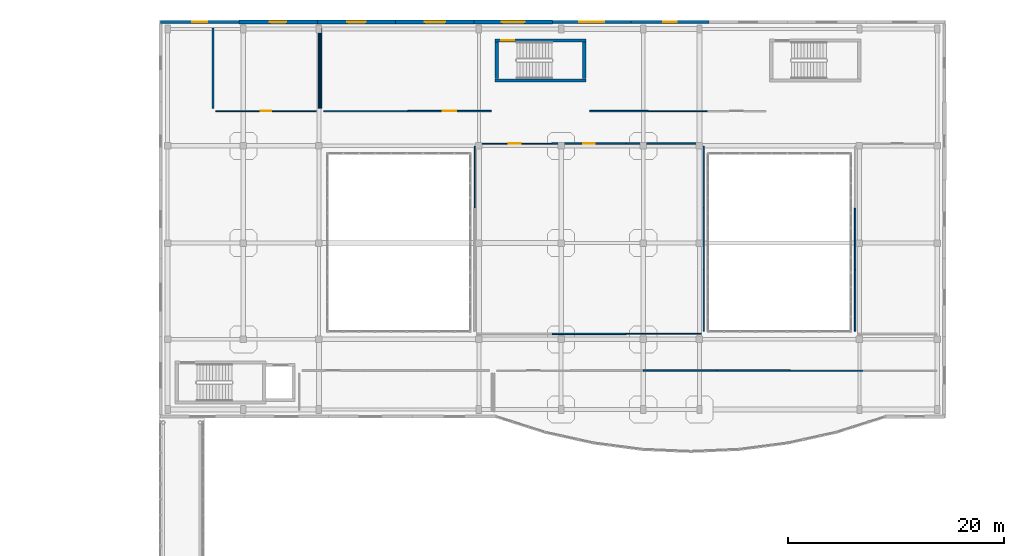
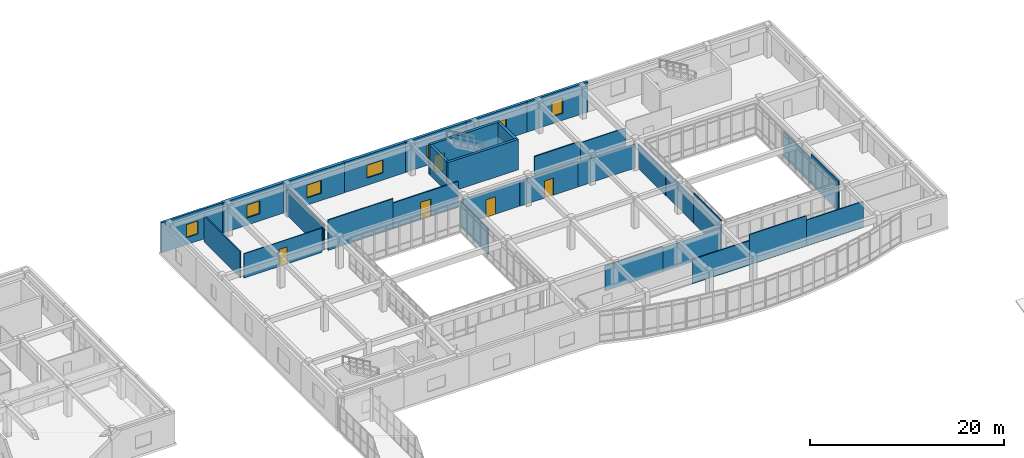
# One storey, part 137 of 146: 33 walls, 7 windows, 5 doors, 12 openings.
"""IFC4 building model written with IfcOpenShell, lengths in metres."""

from ifc_helpers import new_model, si_unit, direction, frame, frame_2d, origin, place, context, subcontext, project, spatial, rectangle, extrude, material, layer, layer_set, type_object, element, fill, save


model = new_model("IFC4")

# Units and contexts
model_context = context("Model", 3, precision=1e-05, world=origin(), true_north=direction((0.0, 1.0)))
body_context = subcontext(model_context, "Body", "Model", "MODEL_VIEW")
ifc_project = project(units=[si_unit("LENGTHUNIT", "METRE"), si_unit("AREAUNIT", "SQUARE_METRE"), si_unit("VOLUMEUNIT", "CUBIC_METRE"), si_unit("PLANEANGLEUNIT", "RADIAN"), si_unit("MASSUNIT", "GRAM", prefix="KILO")], contexts=[model_context])

# Site, building, storey
site_placement = place(None, origin())
site = spatial("IfcSite", under=ifc_project, at=site_placement, CompositionType="ELEMENT")
building_placement = place(site_placement, origin())
building = spatial("IfcBuilding", under=site, at=building_placement, Name="Valcora Specialist Clinic", CompositionType="ELEMENT")
storey_placement = place(building_placement, frame((0.0, 0.0, 9.52001953125)))
storey = spatial("IfcBuildingStorey", under=building, at=storey_placement, Name="L02", CompositionType="ELEMENT", Elevation=9.52001953125)

# Wall
ifc_material_1 = material(Name="Concrete C40/50", Category="concrete")
ifc_layer_1 = layer(ifc_material_1, 0.300048828125)
ifc_layer_set_1 = layer_set([ifc_layer_1], Name="Concrete C40/50")
wall_type_1 = type_object("IfcWallType", Name="TY-WL-CR300", PredefinedType="SHEAR", material=ifc_layer_set_1)
wall_1_placement = place(storey_placement, frame((92.300048828125, 105.25, 0.0), z_axis=(0.0, 0.0, 1.0), x_axis=(1.0, 0.0, 0.0)))
element("IfcWall", 1, at=wall_1_placement, inside=storey, type_object=wall_type_1, Name="Core shear wall WL-CR-C-V4B-L02-S", PredefinedType="SHEAR", context=body_context, shape_type="SweptSolid", body=[
    extrude(rectangle(XDim=8.419921875, YDim=0.300048828125, at=frame_2d((4.2099609375, 0.0))), origin(), (0.0, 0.0, 1.0), 3.820068359375),
])

# Wall, opening, door
wall_2_placement = place(storey_placement, frame((92.300048828125, 108.949951171875, 0.0), z_axis=(0.0, 0.0, 1.0), x_axis=(1.0, 0.0, 0.0)))
wall_2 = element("IfcWall", 2, at=wall_2_placement, inside=storey, type_object=wall_type_1, Name="Core shear wall WL-CR-C-V4B-L02-N", PredefinedType="SHEAR", context=body_context, shape_type="SweptSolid", body=[
    extrude(rectangle(XDim=8.419921875, YDim=0.300048828125, at=frame_2d((4.2099609375, 0.0))), origin(), (0.0, 0.0, 1.0), 3.820068359375),
])
opening_1_placement = place(wall_2_placement, frame((0.550048828125, 0.0, 0.0)))
opening_1 = element("IfcOpeningElement", 3, at=opening_1_placement, cuts=wall_2, Name="Opening DR-FD-120", PredefinedType="OPENING", context=body_context, shape_type="SweptSolid", body=[
    extrude(rectangle(XDim=1.199951171875, YDim=2.199951171875, at=frame_2d((0.60009765625, 1.10009765625))), frame((0.0, 0.159912109375, 0.0), z_axis=(0.0, -1.0, 0.0), x_axis=(1.0, 0.0, 0.0)), (0.0, 0.0, 1.0), 0.320068359375),
])
ifc_material_2 = material(Name="Galvanized Hollow Metal Door Steel ASTM A653", Category="steel")
door_type_1 = type_object("IfcDoorType", Name="TY-DR-ST120", OperationType="NOTDEFINED", PredefinedType="DOOR", material=ifc_material_2)
door_1_placement = place(opening_1_placement, origin())
door_1 = element("IfcDoor", 4, at=door_1_placement, inside=storey, type_object=door_type_1, Name="Exit stair fire door C-V4B L02", OperationType="SINGLE_SWING_RIGHT", OverallHeight=2.199951171875, OverallWidth=1.199951171875, PredefinedType="DOOR", context=body_context, shape_type="SweptSolid", body=[
    extrude(rectangle(XDim=1.199951171875, YDim=2.199951171875, at=frame_2d((0.60009765625, 1.10009765625))), frame((0.0, 0.02490234375, 0.0), z_axis=(0.0, -1.0, 0.0), x_axis=(1.0, 0.0, 0.0)), (0.0, 0.0, 1.0), 0.050048828125),
])
fill(opening_1, door_1)

# Walls
wall_3_placement = place(storey_placement, frame((92.449951171875, 105.402099609375, 0.0), z_axis=(0.0, 0.0, 1.0), x_axis=(0.0, 1.0, 0.0)))
element("IfcWall", 5, at=wall_3_placement, inside=storey, type_object=wall_type_1, Name="Core shear wall WL-CR-C-V4B-L02-W", PredefinedType="SHEAR", context=body_context, shape_type="SweptSolid", body=[
    extrude(rectangle(XDim=3.39599609375, YDim=0.300048828125, at=frame_2d((1.697998046875, 0.0))), origin(), (0.0, 0.0, 1.0), 3.820068359375),
])
ifc_layer_2 = layer(ifc_material_1, 0.320068359375)
ifc_layer_set_2 = layer_set([ifc_layer_2], Name="Concrete C40/50")
wall_type_2 = type_object("IfcWallType", Name="TY-WL-CR320", PredefinedType="SHEAR", material=ifc_layer_set_2)
wall_4_placement = place(storey_placement, frame((100.56005859375, 105.402099609375, 0.0), z_axis=(0.0, 0.0, 1.0), x_axis=(0.0, 1.0, 0.0)))
element("IfcWall", 6, at=wall_4_placement, inside=storey, type_object=wall_type_2, Name="Core shear wall WL-CR-C-V4B-L02-E", PredefinedType="SHEAR", context=body_context, shape_type="SweptSolid", body=[
    extrude(rectangle(XDim=3.39599609375, YDim=0.320068359375, at=frame_2d((1.697998046875, 0.0))), origin(), (0.0, 0.0, 1.0), 3.820068359375),
])

# Wall, opening, window
ifc_material_3 = material(Name="Extruded Jalisco Clay Brick Masonry", Category="masonry")
ifc_layer_3 = layer(ifc_material_3, 0.235107421875)
ifc_layer_set_3 = layer_set([ifc_layer_3], Name="Extruded Jalisco Clay Brick Masonry")
wall_type_3 = type_object("IfcWallType", Name="TY-WL-EW235", PredefinedType="SOLIDWALL", material=ifc_layer_set_3)
wall_5_placement = place(storey_placement, frame((61.35009765625, 110.64990234375, 0.0), z_axis=(0.0, 0.0, 1.0), x_axis=(1.0, 0.0, 0.0)))
wall_5 = element("IfcWall", 7, at=wall_5_placement, inside=storey, type_object=wall_type_3, Name="Exterior wall WL-EXT-L02-0180", PredefinedType="SOLIDWALL", context=body_context, shape_type="SweptSolid", body=[
    extrude(rectangle(XDim=7.25, YDim=0.235107421875, at=frame_2d((3.625, 0.0))), origin(), (0.0, 0.0, 1.0), 3.820068359375),
])
opening_2_placement = place(wall_5_placement, frame((2.945068359375, 0.0, 0.89990234375)))
opening_2 = element("IfcOpeningElement", 8, at=opening_2_placement, cuts=wall_5, Name="Opening WN-33", PredefinedType="OPENING", context=body_context, shape_type="SweptSolid", body=[
    extrude(rectangle(XDim=1.360107421875, YDim=1.6201171875, at=frame_2d((0.68017578125, 0.81005859375))), frame((0.0, 0.12744140625, 0.0), z_axis=(0.0, -1.0, 0.0), x_axis=(1.0, 0.0, 0.0)), (0.0, 0.0, 1.0), 0.255126953125),
])
ifc_material_4 = material(Name="Low-E Laminated Insulating Glass", Category="glass")
window_type_1 = type_object("IfcWindowType", Name="TY-WN-33", PartitioningType="SINGLE_PANEL", PredefinedType="WINDOW", material=ifc_material_4)
window_1_placement = place(opening_2_placement, origin())
window_1 = element("IfcWindow", 9, at=window_1_placement, inside=storey, type_object=window_type_1, Name="Facade window WN-L02-0159", OverallHeight=1.6201171875, OverallWidth=1.360107421875, PartitioningType="SINGLE_PANEL", PredefinedType="WINDOW", context=body_context, shape_type="SweptSolid", body=[
    extrude(rectangle(XDim=1.360107421875, YDim=1.6201171875, at=frame_2d((0.68017578125, 0.81005859375))), frame((0.0, 0.030029296875, 0.0), z_axis=(0.0, -1.0, 0.0), x_axis=(1.0, 0.0, 0.0)), (0.0, 0.0, 1.0), 0.06005859375),
])
fill(opening_2, window_1)

ifc_layer_4 = layer(ifc_material_3, 0.294921875)
ifc_layer_set_4 = layer_set([ifc_layer_4], Name="Extruded Jalisco Clay Brick Masonry")
wall_type_4 = type_object("IfcWallType", Name="TY-WL-EW295", PredefinedType="SOLIDWALL", material=ifc_layer_set_4)
wall_6_placement = place(storey_placement, frame((104.85009765625, 110.64990234375, 0.0), z_axis=(0.0, 0.0, 1.0), x_axis=(1.0, 0.0, 0.0)))
wall_6 = element("IfcWall", 10, at=wall_6_placement, inside=storey, type_object=wall_type_4, Name="Exterior wall WL-EXT-L02-0186", PredefinedType="SOLIDWALL", context=body_context, shape_type="SweptSolid", body=[
    extrude(rectangle(XDim=7.25, YDim=0.294921875, at=frame_2d((3.625, 0.0))), origin(), (0.0, 0.0, 1.0), 3.820068359375),
])
opening_3_placement = place(wall_6_placement, frame((2.985107421875, 0.0, 0.89990234375)))
opening_3 = element("IfcOpeningElement", 11, at=opening_3_placement, cuts=wall_6, Name="Opening WN-39", PredefinedType="OPENING", context=body_context, shape_type="SweptSolid", body=[
    extrude(rectangle(XDim=1.280029296875, YDim=1.8798828125, at=frame_2d((0.64013671875, 0.93994140625))), frame((0.0, 0.157470703125, 0.0), z_axis=(0.0, -1.0, 0.0), x_axis=(1.0, 0.0, 0.0)), (0.0, 0.0, 1.0), 0.31494140625),
])
window_type_2 = type_object("IfcWindowType", Name="TY-WN-39", PartitioningType="SINGLE_PANEL", PredefinedType="WINDOW", material=ifc_material_4)
window_2_placement = place(opening_3_placement, origin())
window_2 = element("IfcWindow", 12, at=window_2_placement, inside=storey, type_object=window_type_2, Name="Facade window WN-L02-0165", OverallHeight=1.8798828125, OverallWidth=1.280029296875, PartitioningType="SINGLE_PANEL", PredefinedType="WINDOW", context=body_context, shape_type="SweptSolid", body=[
    extrude(rectangle(XDim=1.280029296875, YDim=1.8798828125, at=frame_2d((0.64013671875, 0.93994140625))), frame((0.0, 0.030029296875, 0.0), z_axis=(0.0, -1.0, 0.0), x_axis=(1.0, 0.0, 0.0)), (0.0, 0.0, 1.0), 0.06005859375),
])
fill(opening_3, window_2)

ifc_layer_5 = layer(ifc_material_3, 0.31005859375)
ifc_layer_set_5 = layer_set([ifc_layer_5], Name="Extruded Jalisco Clay Brick Masonry")
wall_type_5 = type_object("IfcWallType", Name="TY-WL-EW310", PredefinedType="SOLIDWALL", material=ifc_layer_set_5)
wall_7_placement = place(storey_placement, frame((97.60009765625, 110.64990234375, 0.0), z_axis=(0.0, 0.0, 1.0), x_axis=(1.0, 0.0, 0.0)))
wall_7 = element("IfcWall", 13, at=wall_7_placement, inside=storey, type_object=wall_type_5, Name="Exterior wall WL-EXT-L02-0185", PredefinedType="SOLIDWALL", context=body_context, shape_type="SweptSolid", body=[
    extrude(rectangle(XDim=7.25, YDim=0.31005859375, at=frame_2d((3.625, 0.0))), origin(), (0.0, 0.0, 1.0), 3.820068359375),
])
opening_4_placement = place(wall_7_placement, frame((2.465087890625, 0.0, 0.89990234375)))
opening_4 = element("IfcOpeningElement", 14, at=opening_4_placement, cuts=wall_7, Name="Opening WN-38", PredefinedType="OPENING", context=body_context, shape_type="SweptSolid", body=[
    extrude(rectangle(XDim=2.320068359375, YDim=1.6201171875, at=frame_2d((1.16015625, 0.81005859375))), frame((0.0, 0.1650390625, 0.0), z_axis=(0.0, -1.0, 0.0), x_axis=(1.0, 0.0, 0.0)), (0.0, 0.0, 1.0), 0.330078125),
])
window_type_3 = type_object("IfcWindowType", Name="TY-WN-38", PartitioningType="SINGLE_PANEL", PredefinedType="WINDOW", material=ifc_material_4)
window_3_placement = place(opening_4_placement, origin())
window_3 = element("IfcWindow", 15, at=window_3_placement, inside=storey, type_object=window_type_3, Name="Facade window WN-L02-0164", OverallHeight=1.6201171875, OverallWidth=2.320068359375, PartitioningType="SINGLE_PANEL", PredefinedType="WINDOW", context=body_context, shape_type="SweptSolid", body=[
    extrude(rectangle(XDim=2.320068359375, YDim=1.6201171875, at=frame_2d((1.16015625, 0.81005859375))), frame((0.0, 0.030029296875, 0.0), z_axis=(0.0, -1.0, 0.0), x_axis=(1.0, 0.0, 0.0)), (0.0, 0.0, 1.0), 0.06005859375),
])
fill(opening_4, window_3)

ifc_layer_6 = layer(ifc_material_3, 0.324951171875)
ifc_layer_set_6 = layer_set([ifc_layer_6], Name="Extruded Jalisco Clay Brick Masonry")
wall_type_6 = type_object("IfcWallType", Name="TY-WL-EW325", PredefinedType="SOLIDWALL", material=ifc_layer_set_6)
wall_8_placement = place(storey_placement, frame((90.35009765625, 110.64990234375, 0.0), z_axis=(0.0, 0.0, 1.0), x_axis=(1.0, 0.0, 0.0)))
wall_8 = element("IfcWall", 16, at=wall_8_placement, inside=storey, type_object=wall_type_6, Name="Exterior wall WL-EXT-L02-0184", PredefinedType="SOLIDWALL", context=body_context, shape_type="SweptSolid", body=[
    extrude(rectangle(XDim=7.25, YDim=0.324951171875, at=frame_2d((3.625, 0.0))), origin(), (0.0, 0.0, 1.0), 3.820068359375),
])
opening_5_placement = place(wall_8_placement, frame((2.56494140625, 0.0, 0.89990234375)))
opening_5 = element("IfcOpeningElement", 17, at=opening_5_placement, cuts=wall_8, Name="Opening WN-37", PredefinedType="OPENING", context=body_context, shape_type="SweptSolid", body=[
    extrude(rectangle(XDim=2.1201171875, YDim=1.6201171875, at=frame_2d((1.06005859375, 0.81005859375))), frame((0.0, 0.17236328125, 0.0), z_axis=(0.0, -1.0, 0.0), x_axis=(1.0, 0.0, 0.0)), (0.0, 0.0, 1.0), 0.344970703125),
])
window_type_4 = type_object("IfcWindowType", Name="TY-WN-37", PartitioningType="SINGLE_PANEL", PredefinedType="WINDOW", material=ifc_material_4)
window_4_placement = place(opening_5_placement, origin())
window_4 = element("IfcWindow", 18, at=window_4_placement, inside=storey, type_object=window_type_4, Name="Facade window WN-L02-0163", OverallHeight=1.6201171875, OverallWidth=2.1201171875, PartitioningType="SINGLE_PANEL", PredefinedType="WINDOW", context=body_context, shape_type="SweptSolid", body=[
    extrude(rectangle(XDim=2.1201171875, YDim=1.6201171875, at=frame_2d((1.06005859375, 0.81005859375))), frame((0.0, 0.030029296875, 0.0), z_axis=(0.0, -1.0, 0.0), x_axis=(1.0, 0.0, 0.0)), (0.0, 0.0, 1.0), 0.06005859375),
])
fill(opening_5, window_4)

ifc_layer_7 = layer(ifc_material_3, 0.340087890625)
ifc_layer_set_7 = layer_set([ifc_layer_7], Name="Extruded Jalisco Clay Brick Masonry")
wall_type_7 = type_object("IfcWallType", Name="TY-WL-EW340", PredefinedType="SOLIDWALL", material=ifc_layer_set_7)
wall_9_placement = place(storey_placement, frame((83.10009765625, 110.64990234375, 0.0), z_axis=(0.0, 0.0, 1.0), x_axis=(1.0, 0.0, 0.0)))
wall_9 = element("IfcWall", 19, at=wall_9_placement, inside=storey, type_object=wall_type_7, Name="Exterior wall WL-EXT-L02-0183", PredefinedType="SOLIDWALL", context=body_context, shape_type="SweptSolid", body=[
    extrude(rectangle(XDim=7.25, YDim=0.340087890625, at=frame_2d((3.625, 0.0))), origin(), (0.0, 0.0, 1.0), 3.820068359375),
])
opening_6_placement = place(wall_9_placement, frame((2.6650390625, 0.0, 0.89990234375)))
opening_6 = element("IfcOpeningElement", 20, at=opening_6_placement, cuts=wall_9, Name="Opening WN-36", PredefinedType="OPENING", context=body_context, shape_type="SweptSolid", body=[
    extrude(rectangle(XDim=1.919921875, YDim=1.6201171875, at=frame_2d((0.9599609375, 0.81005859375))), frame((0.0, 0.179931640625, 0.0), z_axis=(0.0, -1.0, 0.0), x_axis=(1.0, 0.0, 0.0)), (0.0, 0.0, 1.0), 0.360107421875),
])
window_type_5 = type_object("IfcWindowType", Name="TY-WN-36", PartitioningType="SINGLE_PANEL", PredefinedType="WINDOW", material=ifc_material_4)
window_5_placement = place(opening_6_placement, origin())
window_5 = element("IfcWindow", 21, at=window_5_placement, inside=storey, type_object=window_type_5, Name="Facade window WN-L02-0162", OverallHeight=1.6201171875, OverallWidth=1.919921875, PartitioningType="SINGLE_PANEL", PredefinedType="WINDOW", context=body_context, shape_type="SweptSolid", body=[
    extrude(rectangle(XDim=1.919921875, YDim=1.6201171875, at=frame_2d((0.9599609375, 0.81005859375))), frame((0.0, 0.030029296875, 0.0), z_axis=(0.0, -1.0, 0.0), x_axis=(1.0, 0.0, 0.0)), (0.0, 0.0, 1.0), 0.06005859375),
])
fill(opening_6, window_5)

ifc_layer_8 = layer(ifc_material_3, 0.35498046875)
ifc_layer_set_8 = layer_set([ifc_layer_8], Name="Extruded Jalisco Clay Brick Masonry")
wall_type_8 = type_object("IfcWallType", Name="TY-WL-EW355", PredefinedType="SOLIDWALL", material=ifc_layer_set_8)
wall_10_placement = place(storey_placement, frame((75.85009765625, 110.64990234375, 0.0), z_axis=(0.0, 0.0, 1.0), x_axis=(1.0, 0.0, 0.0)))
wall_10 = element("IfcWall", 22, at=wall_10_placement, inside=storey, type_object=wall_type_8, Name="Exterior wall WL-EXT-L02-0182", PredefinedType="SOLIDWALL", context=body_context, shape_type="SweptSolid", body=[
    extrude(rectangle(XDim=7.25, YDim=0.35498046875, at=frame_2d((3.625, 0.0))), origin(), (0.0, 0.0, 1.0), 3.820068359375),
])
opening_7_placement = place(wall_10_placement, frame((2.764892578125, 0.0, 0.89990234375)))
opening_7 = element("IfcOpeningElement", 23, at=opening_7_placement, cuts=wall_10, Name="Opening WN-35", PredefinedType="OPENING", context=body_context, shape_type="SweptSolid", body=[
    extrude(rectangle(XDim=1.719970703125, YDim=1.6201171875, at=frame_2d((0.85986328125, 0.81005859375))), frame((0.0, 0.1875, 0.0), z_axis=(0.0, -1.0, 0.0), x_axis=(1.0, 0.0, 0.0)), (0.0, 0.0, 1.0), 0.375),
])
window_type_6 = type_object("IfcWindowType", Name="TY-WN-35", PartitioningType="SINGLE_PANEL", PredefinedType="WINDOW", material=ifc_material_4)
window_6_placement = place(opening_7_placement, origin())
window_6 = element("IfcWindow", 24, at=window_6_placement, inside=storey, type_object=window_type_6, Name="Facade window WN-L02-0161", OverallHeight=1.6201171875, OverallWidth=1.719970703125, PartitioningType="SINGLE_PANEL", PredefinedType="WINDOW", context=body_context, shape_type="SweptSolid", body=[
    extrude(rectangle(XDim=1.719970703125, YDim=1.6201171875, at=frame_2d((0.85986328125, 0.81005859375))), frame((0.0, 0.030029296875, 0.0), z_axis=(0.0, -1.0, 0.0), x_axis=(1.0, 0.0, 0.0)), (0.0, 0.0, 1.0), 0.06005859375),
])
fill(opening_7, window_6)

ifc_layer_9 = layer(ifc_material_3, 0.3701171875)
ifc_layer_set_9 = layer_set([ifc_layer_9], Name="Extruded Jalisco Clay Brick Masonry")
wall_type_9 = type_object("IfcWallType", Name="TY-WL-EW370", PredefinedType="SOLIDWALL", material=ifc_layer_set_9)
wall_11_placement = place(storey_placement, frame((68.60009765625, 110.64990234375, 0.0), z_axis=(0.0, 0.0, 1.0), x_axis=(1.0, 0.0, 0.0)))
wall_11 = element("IfcWall", 25, at=wall_11_placement, inside=storey, type_object=wall_type_9, Name="Exterior wall WL-EXT-L02-0181", PredefinedType="SOLIDWALL", context=body_context, shape_type="SweptSolid", body=[
    extrude(rectangle(XDim=7.25, YDim=0.3701171875, at=frame_2d((3.625, 0.0))), origin(), (0.0, 0.0, 1.0), 3.820068359375),
])
opening_8_placement = place(wall_11_placement, frame((2.85498046875, 0.0, 0.89990234375)))
opening_8 = element("IfcOpeningElement", 26, at=opening_8_placement, cuts=wall_11, Name="Opening WN-34", PredefinedType="OPENING", context=body_context, shape_type="SweptSolid", body=[
    extrude(rectangle(XDim=1.5400390625, YDim=1.6201171875, at=frame_2d((0.77001953125, 0.81005859375))), frame((0.0, 0.195068359375, 0.0), z_axis=(0.0, -1.0, 0.0), x_axis=(1.0, 0.0, 0.0)), (0.0, 0.0, 1.0), 0.39013671875),
])
window_type_7 = type_object("IfcWindowType", Name="TY-WN-34", PartitioningType="SINGLE_PANEL", PredefinedType="WINDOW", material=ifc_material_4)
window_7_placement = place(opening_8_placement, origin())
window_7 = element("IfcWindow", 27, at=window_7_placement, inside=storey, type_object=window_type_7, Name="Facade window WN-L02-0160", OverallHeight=1.6201171875, OverallWidth=1.5400390625, PartitioningType="SINGLE_PANEL", PredefinedType="WINDOW", context=body_context, shape_type="SweptSolid", body=[
    extrude(rectangle(XDim=1.5400390625, YDim=1.6201171875, at=frame_2d((0.77001953125, 0.81005859375))), frame((0.0, 0.030029296875, 0.0), z_axis=(0.0, -1.0, 0.0), x_axis=(1.0, 0.0, 0.0)), (0.0, 0.0, 1.0), 0.06005859375),
])
fill(opening_8, window_7)

# Wall, opening, door
ifc_material_5 = material(Name="Gypsum Board Partition Assembly")
ifc_layer_10 = layer(ifc_material_5, 0.094970703125)
ifc_layer_set_10 = layer_set([ifc_layer_10], Name="Gypsum Board Partition Assembly")
wall_type_10 = type_object("IfcWallType", Name="TY-WL-PT095", PredefinedType="PARTITIONING", material=ifc_layer_set_10)
wall_12_placement = place(storey_placement, frame((90.64990234375, 99.39990234375, 0.0), z_axis=(0.0, 0.0, 1.0), x_axis=(1.0, 0.0, 0.0)))
wall_12 = element("IfcWall", 28, at=wall_12_placement, inside=storey, type_object=wall_type_10, Name="Interior partition WL-INT-L02-0311", PredefinedType="PARTITIONING", context=body_context, shape_type="SweptSolid", body=[
    extrude(rectangle(XDim=6.900146484375, YDim=0.094970703125, at=frame_2d((3.4501953125, 0.0))), origin(), (0.0, 0.0, 1.0), 3.219970703125),
])
opening_9_placement = place(wall_12_placement, frame((2.89990234375, 0.0, 0.0)))
opening_9 = element("IfcOpeningElement", 29, at=opening_9_placement, cuts=wall_12, Name="Opening DR-CN-110", PredefinedType="OPENING", context=body_context, shape_type="SweptSolid", body=[
    extrude(rectangle(XDim=1.10009765625, YDim=2.199951171875, at=frame_2d((0.550048828125, 1.10009765625))), frame((0.0, 0.057373046875, 0.0), z_axis=(0.0, -1.0, 0.0), x_axis=(1.0, 0.0, 0.0)), (0.0, 0.0, 1.0), 0.114990234375),
])
ifc_material_6 = material(Name="Glulam Conifer Class 24F", Category="wood")
door_type_2 = type_object("IfcDoorType", Name="TY-DR-CN110", OperationType="NOTDEFINED", PredefinedType="DOOR", material=ifc_material_6)
door_2_placement = place(opening_9_placement, origin())
door_2 = element("IfcDoor", 30, at=door_2_placement, inside=storey, type_object=door_type_2, Name="Interior door DR-INT-L02-0088", OperationType="SINGLE_SWING_RIGHT", OverallHeight=2.199951171875, OverallWidth=1.10009765625, PredefinedType="DOOR", context=body_context, shape_type="SweptSolid", body=[
    extrude(rectangle(XDim=1.10009765625, YDim=2.199951171875, at=frame_2d((0.550048828125, 1.10009765625))), frame((0.0, 0.02490234375, 0.0), z_axis=(0.0, -1.0, 0.0), x_axis=(1.0, 0.0, 0.0)), (0.0, 0.0, 1.0), 0.050048828125),
])
fill(opening_9, door_2)

# Wall
wall_13_placement = place(storey_placement, frame((111.35009765625, 81.800048828125, 0.0), z_axis=(0.0, 0.0, 1.0), x_axis=(-1.0, 0.0, 0.0)))
element("IfcWall", 31, at=wall_13_placement, inside=storey, type_object=wall_type_10, Name="Interior partition WL-INT-L02-0317", PredefinedType="PARTITIONING", context=body_context, shape_type="SweptSolid", body=[
    extrude(rectangle(XDim=6.900146484375, YDim=0.094970703125, at=frame_2d((3.4501953125, 0.0))), origin(), (0.0, 0.0, 1.0), 3.02001953125),
])

# Wall, opening, door
wall_14_placement = place(storey_placement, frame((75.75, 102.39990234375, 0.0), z_axis=(0.0, 0.0, 1.0), x_axis=(-1.0, 0.0, 0.0)))
wall_14 = element("IfcWall", 32, at=wall_14_placement, inside=storey, type_object=wall_type_10, Name="Interior partition WL-INT-L02-0329", PredefinedType="PARTITIONING", context=body_context, shape_type="SweptSolid", body=[
    extrude(rectangle(XDim=9.300048828125, YDim=0.094970703125, at=frame_2d((4.64990234375, 0.0))), origin(), (0.0, 0.0, 1.0), 3.070068359375),
])
opening_10_placement = place(wall_14_placement, frame((4.175048828125, 0.0, 0.0)))
opening_10 = element("IfcOpeningElement", 33, at=opening_10_placement, cuts=wall_14, Name="Opening DR-WC-095", PredefinedType="OPENING", context=body_context, shape_type="SweptSolid", body=[
    extrude(rectangle(XDim=0.949951171875, YDim=2.14990234375, at=frame_2d((0.47509765625, 1.074951171875))), frame((0.0, 0.057373046875, 0.0), z_axis=(0.0, -1.0, 0.0), x_axis=(1.0, 0.0, 0.0)), (0.0, 0.0, 1.0), 0.114990234375),
])
door_type_3 = type_object("IfcDoorType", Name="TY-DR-WC095", OperationType="NOTDEFINED", PredefinedType="DOOR", material=ifc_material_6)
door_3_placement = place(opening_10_placement, origin())
door_3 = element("IfcDoor", 34, at=door_3_placement, inside=storey, type_object=door_type_3, Name="Interior door DR-INT-L02-0091", OperationType="SINGLE_SWING_LEFT", OverallHeight=2.14990234375, OverallWidth=0.949951171875, PredefinedType="DOOR", context=body_context, shape_type="SweptSolid", body=[
    extrude(rectangle(XDim=0.949951171875, YDim=2.14990234375, at=frame_2d((0.47509765625, 1.074951171875))), frame((0.0, 0.02490234375, 0.0), z_axis=(0.0, -1.0, 0.0), x_axis=(1.0, 0.0, 0.0)), (0.0, 0.0, 1.0), 0.050048828125),
])
fill(opening_10, door_3)

# Walls
wall_15_placement = place(storey_placement, frame((111.9169921875, 102.39990234375, 0.0), z_axis=(0.0, 0.0, 1.0), x_axis=(-1.0, 0.0, 0.0)))
element("IfcWall", 35, at=wall_15_placement, inside=storey, type_object=wall_type_10, Name="Interior partition WL-INT-L02-0335", PredefinedType="PARTITIONING", context=body_context, shape_type="SweptSolid", body=[
    extrude(rectangle(XDim=5.43408203125, YDim=0.094970703125, at=frame_2d((2.717041015625, 0.0))), origin(), (0.0, 0.0, 1.0), 3.02001953125),
])
ifc_layer_11 = layer(ifc_material_5, 0.10498046875)
ifc_layer_set_11 = layer_set([ifc_layer_11], Name="Gypsum Board Partition Assembly")
wall_type_11 = type_object("IfcWallType", Name="TY-WL-PT105", PredefinedType="PARTITIONING", material=ifc_layer_set_11)
wall_16_placement = place(storey_placement, frame((111.60009765625, 87.75, 0.0), z_axis=(0.0, 0.0, 1.0), x_axis=(0.0, -1.0, 0.0)))
element("IfcWall", 36, at=wall_16_placement, inside=storey, type_object=wall_type_11, Name="Interior partition WL-INT-L02-0316", PredefinedType="PARTITIONING", context=body_context, shape_type="SweptSolid", body=[
    extrude(rectangle(XDim=5.699951171875, YDim=0.10498046875, at=frame_2d((2.85009765625, 0.0))), origin(), (0.0, 0.0, 1.0), 3.820068359375),
])
wall_17_placement = place(storey_placement, frame((90.39990234375, 93.449951171875, 0.0), z_axis=(0.0, 0.0, 1.0), x_axis=(0.0, 1.0, 0.0)))
element("IfcWall", 37, at=wall_17_placement, inside=storey, type_object=wall_type_11, Name="Interior partition WL-INT-L02-0322", PredefinedType="PARTITIONING", context=body_context, shape_type="SweptSolid", body=[
    extrude(rectangle(XDim=5.699951171875, YDim=0.10498046875, at=frame_2d((2.85009765625, 0.0))), origin(), (0.0, 0.0, 1.0), 3.27001953125),
])
wall_18_placement = place(storey_placement, frame((76.0, 110.050048828125, 0.0), z_axis=(0.0, 0.0, 1.0), x_axis=(0.0, -1.0, 0.0)))
element("IfcWall", 38, at=wall_18_placement, inside=storey, type_object=wall_type_11, Name="Interior partition WL-INT-L02-0328", PredefinedType="PARTITIONING", context=body_context, shape_type="SweptSolid", body=[
    extrude(rectangle(XDim=7.400146484375, YDim=0.10498046875, at=frame_2d((3.7001953125, 0.0))), origin(), (0.0, 0.0, 1.0), 3.169921875),
])
ifc_layer_12 = layer(ifc_material_5, 0.114990234375)
ifc_layer_set_12 = layer_set([ifc_layer_12], Name="Gypsum Board Partition Assembly")
wall_type_12 = type_object("IfcWallType", Name="TY-WL-PT115", PredefinedType="PARTITIONING", material=ifc_layer_set_12)
wall_19_placement = place(storey_placement, frame((119.5830078125, 78.39990234375, 0.0), z_axis=(0.0, 0.0, 1.0), x_axis=(1.0, 0.0, 0.0)))
element("IfcWall", 39, at=wall_19_placement, inside=storey, type_object=wall_type_12, Name="Interior partition WL-INT-L02-0309", PredefinedType="PARTITIONING", context=body_context, shape_type="SweptSolid", body=[
    extrude(rectangle(XDim=6.783935546875, YDim=0.114990234375, at=frame_2d((3.39208984375, 0.0))), origin(), (0.0, 0.0, 1.0), 3.27001953125),
])
wall_20_placement = place(storey_placement, frame((111.60009765625, 93.449951171875, 0.0), z_axis=(0.0, 0.0, 1.0), x_axis=(0.0, -1.0, 0.0)))
element("IfcWall", 40, at=wall_20_placement, inside=storey, type_object=wall_type_12, Name="Interior partition WL-INT-L02-0315", PredefinedType="PARTITIONING", context=body_context, shape_type="SweptSolid", body=[
    extrude(rectangle(XDim=5.699951171875, YDim=0.114990234375, at=frame_2d((2.85009765625, 0.0))), origin(), (0.0, 0.0, 1.0), 3.169921875),
])
wall_21_placement = place(storey_placement, frame((76.199951171875, 102.64990234375, 0.0), z_axis=(0.0, 0.0, 1.0), x_axis=(0.0, 1.0, 0.0)))
element("IfcWall", 41, at=wall_21_placement, inside=storey, type_object=wall_type_12, Name="Interior partition WL-INT-L02-0333", PredefinedType="PARTITIONING", context=body_context, shape_type="SweptSolid", body=[
    extrude(rectangle(XDim=7.400146484375, YDim=0.114990234375, at=frame_2d((3.7001953125, 0.0))), origin(), (0.0, 0.0, 1.0), 3.169921875),
])
ifc_layer_13 = layer(ifc_material_5, 0.125)
ifc_layer_set_13 = layer_set([ifc_layer_13], Name="Gypsum Board Partition Assembly")
wall_type_13 = type_object("IfcWallType", Name="TY-WL-PT125", PredefinedType="PARTITIONING", material=ifc_layer_set_13)
wall_22_placement = place(storey_placement, frame((112.800048828125, 78.39990234375, 0.0), z_axis=(0.0, 0.0, 1.0), x_axis=(1.0, 0.0, 0.0)))
element("IfcWall", 42, at=wall_22_placement, inside=storey, type_object=wall_type_13, Name="Interior partition WL-INT-L02-0308", PredefinedType="PARTITIONING", context=body_context, shape_type="SweptSolid", body=[
    extrude(rectangle(XDim=6.782958984375, YDim=0.125, at=frame_2d((3.3916015625, 0.0))), origin(), (0.0, 0.0, 1.0), 3.820068359375),
])
wall_23_placement = place(storey_placement, frame((111.60009765625, 99.14990234375, 0.0), z_axis=(0.0, 0.0, 1.0), x_axis=(0.0, -1.0, 0.0)))
element("IfcWall", 43, at=wall_23_placement, inside=storey, type_object=wall_type_13, Name="Interior partition WL-INT-L02-0314", PredefinedType="PARTITIONING", context=body_context, shape_type="SweptSolid", body=[
    extrude(rectangle(XDim=5.699951171875, YDim=0.125, at=frame_2d((2.85009765625, 0.0))), origin(), (0.0, 0.0, 1.0), 3.070068359375),
])
wall_24_placement = place(storey_placement, frame((125.60009765625, 87.75, 0.0), z_axis=(0.0, 0.0, 1.0), x_axis=(0.0, 1.0, 0.0)))
element("IfcWall", 44, at=wall_24_placement, inside=storey, type_object=wall_type_13, Name="Interior partition WL-INT-L02-0326", PredefinedType="PARTITIONING", context=body_context, shape_type="SweptSolid", body=[
    extrude(rectangle(XDim=5.699951171875, YDim=0.125, at=frame_2d((2.85009765625, 0.0))), origin(), (0.0, 0.0, 1.0), 3.169921875),
])
wall_25_placement = place(storey_placement, frame((84.199951171875, 102.39990234375, 0.0), z_axis=(0.0, 0.0, 1.0), x_axis=(-1.0, 0.0, 0.0)))
element("IfcWall", 45, at=wall_25_placement, inside=storey, type_object=wall_type_13, Name="Interior partition WL-INT-L02-0332", PredefinedType="PARTITIONING", context=body_context, shape_type="SweptSolid", body=[
    extrude(rectangle(XDim=7.75, YDim=0.125, at=frame_2d((3.875, 0.0))), origin(), (0.0, 0.0, 1.0), 3.820068359375),
])
ifc_layer_14 = layer(ifc_material_5, 0.135009765625)
ifc_layer_set_14 = layer_set([ifc_layer_14], Name="Gypsum Board Partition Assembly")
wall_type_14 = type_object("IfcWallType", Name="TY-WL-PT135", PredefinedType="PARTITIONING", material=ifc_layer_set_14)
wall_26_placement = place(storey_placement, frame((106.01708984375, 78.39990234375, 0.0), z_axis=(0.0, 0.0, 1.0), x_axis=(1.0, 0.0, 0.0)))
element("IfcWall", 46, at=wall_26_placement, inside=storey, type_object=wall_type_14, Name="Interior partition WL-INT-L02-0307", PredefinedType="PARTITIONING", context=body_context, shape_type="SweptSolid", body=[
    extrude(rectangle(XDim=6.782958984375, YDim=0.135009765625, at=frame_2d((3.3916015625, 0.0))), origin(), (0.0, 0.0, 1.0), 3.070068359375),
])
wall_27_placement = place(storey_placement, frame((104.449951171875, 99.39990234375, 0.0), z_axis=(0.0, 0.0, 1.0), x_axis=(1.0, 0.0, 0.0)))
element("IfcWall", 47, at=wall_27_placement, inside=storey, type_object=wall_type_14, Name="Interior partition WL-INT-L02-0313", PredefinedType="PARTITIONING", context=body_context, shape_type="SweptSolid", body=[
    extrude(rectangle(XDim=6.900146484375, YDim=0.135009765625, at=frame_2d((3.4501953125, 0.0))), origin(), (0.0, 0.0, 1.0), 3.02001953125),
])
wall_28_placement = place(storey_placement, frame((125.60009765625, 82.050048828125, 0.0), z_axis=(0.0, 0.0, 1.0), x_axis=(0.0, 1.0, 0.0)))
element("IfcWall", 48, at=wall_28_placement, inside=storey, type_object=wall_type_14, Name="Interior partition WL-INT-L02-0325", PredefinedType="PARTITIONING", context=body_context, shape_type="SweptSolid", body=[
    extrude(rectangle(XDim=5.699951171875, YDim=0.135009765625, at=frame_2d((2.85009765625, 0.0))), origin(), (0.0, 0.0, 1.0), 3.820068359375),
])

# Wall, opening, door
wall_29_placement = place(storey_placement, frame((91.949951171875, 102.39990234375, 0.0), z_axis=(0.0, 0.0, 1.0), x_axis=(-1.0, 0.0, 0.0)))
wall_29 = element("IfcWall", 49, at=wall_29_placement, inside=storey, type_object=wall_type_14, Name="Interior partition WL-INT-L02-0331", PredefinedType="PARTITIONING", context=body_context, shape_type="SweptSolid", body=[
    extrude(rectangle(XDim=7.75, YDim=0.135009765625, at=frame_2d((3.875, 0.0))), origin(), (0.0, 0.0, 1.0), 3.27001953125),
])
opening_11_placement = place(wall_29_placement, frame((3.264892578125, 0.0, 0.0)))
opening_11 = element("IfcOpeningElement", 50, at=opening_11_placement, cuts=wall_29, Name="Opening DR-CN-122", PredefinedType="OPENING", context=body_context, shape_type="SweptSolid", body=[
    extrude(rectangle(XDim=1.219970703125, YDim=2.199951171875, at=frame_2d((0.60986328125, 1.10009765625))), frame((0.0, 0.077392578125, 0.0), z_axis=(0.0, -1.0, 0.0), x_axis=(1.0, 0.0, 0.0)), (0.0, 0.0, 1.0), 0.155029296875),
])
door_type_4 = type_object("IfcDoorType", Name="TY-DR-CN122", OperationType="NOTDEFINED", PredefinedType="DOOR", material=ifc_material_6)
door_4_placement = place(opening_11_placement, origin())
door_4 = element("IfcDoor", 51, at=door_4_placement, inside=storey, type_object=door_type_4, Name="Interior door DR-INT-L02-0092", OperationType="SINGLE_SWING_RIGHT", OverallHeight=2.199951171875, OverallWidth=1.219970703125, PredefinedType="DOOR", context=body_context, shape_type="SweptSolid", body=[
    extrude(rectangle(XDim=1.219970703125, YDim=2.199951171875, at=frame_2d((0.60986328125, 1.10009765625))), frame((0.0, 0.02490234375, 0.0), z_axis=(0.0, -1.0, 0.0), x_axis=(1.0, 0.0, 0.0)), (0.0, 0.0, 1.0), 0.050048828125),
])
fill(opening_11, door_4)

ifc_layer_15 = layer(ifc_material_5, 0.14501953125)
ifc_layer_set_15 = layer_set([ifc_layer_15], Name="Gypsum Board Partition Assembly")
wall_type_15 = type_object("IfcWallType", Name="TY-WL-PT145", PredefinedType="PARTITIONING", material=ifc_layer_set_15)
wall_30_placement = place(storey_placement, frame((97.550048828125, 99.39990234375, 0.0), z_axis=(0.0, 0.0, 1.0), x_axis=(1.0, 0.0, 0.0)))
wall_30 = element("IfcWall", 52, at=wall_30_placement, inside=storey, type_object=wall_type_15, Name="Interior partition WL-INT-L02-0312", PredefinedType="PARTITIONING", context=body_context, shape_type="SweptSolid", body=[
    extrude(rectangle(XDim=6.89990234375, YDim=0.14501953125, at=frame_2d((3.449951171875, 0.0))), origin(), (0.0, 0.0, 1.0), 3.169921875),
])
opening_12_placement = place(wall_30_placement, frame((2.919921875, 0.0, 0.0)))
opening_12 = element("IfcOpeningElement", 53, at=opening_12_placement, cuts=wall_30, Name="Opening DR-CN-106", PredefinedType="OPENING", context=body_context, shape_type="SweptSolid", body=[
    extrude(rectangle(XDim=1.06005859375, YDim=2.14990234375, at=frame_2d((0.530029296875, 1.074951171875))), frame((0.0, 0.08251953125, 0.0), z_axis=(0.0, -1.0, 0.0), x_axis=(1.0, 0.0, 0.0)), (0.0, 0.0, 1.0), 0.1650390625),
])
door_type_5 = type_object("IfcDoorType", Name="TY-DR-CN106", OperationType="NOTDEFINED", PredefinedType="DOOR", material=ifc_material_6)
door_5_placement = place(opening_12_placement, origin())
door_5 = element("IfcDoor", 54, at=door_5_placement, inside=storey, type_object=door_type_5, Name="Interior door DR-INT-L02-0089", OperationType="SINGLE_SWING_LEFT", OverallHeight=2.14990234375, OverallWidth=1.06005859375, PredefinedType="DOOR", context=body_context, shape_type="SweptSolid", body=[
    extrude(rectangle(XDim=1.06005859375, YDim=2.14990234375, at=frame_2d((0.530029296875, 1.074951171875))), frame((0.0, 0.02490234375, 0.0), z_axis=(0.0, -1.0, 0.0), x_axis=(1.0, 0.0, 0.0)), (0.0, 0.0, 1.0), 0.050048828125),
])
fill(opening_12, door_5)

# Walls
wall_31_placement = place(storey_placement, frame((104.449951171875, 81.800048828125, 0.0), z_axis=(0.0, 0.0, 1.0), x_axis=(-1.0, 0.0, 0.0)))
element("IfcWall", 55, at=wall_31_placement, inside=storey, type_object=wall_type_15, Name="Interior partition WL-INT-L02-0318", PredefinedType="PARTITIONING", context=body_context, shape_type="SweptSolid", body=[
    extrude(rectangle(XDim=6.89990234375, YDim=0.14501953125, at=frame_2d((3.449951171875, 0.0))), origin(), (0.0, 0.0, 1.0), 3.169921875),
])
wall_32_placement = place(storey_placement, frame((66.199951171875, 102.64990234375, 0.0), z_axis=(0.0, 0.0, 1.0), x_axis=(0.0, 1.0, 0.0)))
element("IfcWall", 56, at=wall_32_placement, inside=storey, type_object=wall_type_15, Name="Interior partition WL-INT-L02-0330", PredefinedType="PARTITIONING", context=body_context, shape_type="SweptSolid", body=[
    extrude(rectangle(XDim=7.400146484375, YDim=0.14501953125, at=frame_2d((3.7001953125, 0.0))), origin(), (0.0, 0.0, 1.0), 3.27001953125),
])
wall_33_placement = place(storey_placement, frame((106.48291015625, 102.39990234375, 0.0), z_axis=(0.0, 0.0, 1.0), x_axis=(-1.0, 0.0, 0.0)))
element("IfcWall", 57, at=wall_33_placement, inside=storey, type_object=wall_type_15, Name="Interior partition WL-INT-L02-0336", PredefinedType="PARTITIONING", context=body_context, shape_type="SweptSolid", body=[
    extrude(rectangle(XDim=5.432861328125, YDim=0.14501953125, at=frame_2d((2.71630859375, 0.0))), origin(), (0.0, 0.0, 1.0), 3.219970703125),
])

save(model, "model.ifc")
